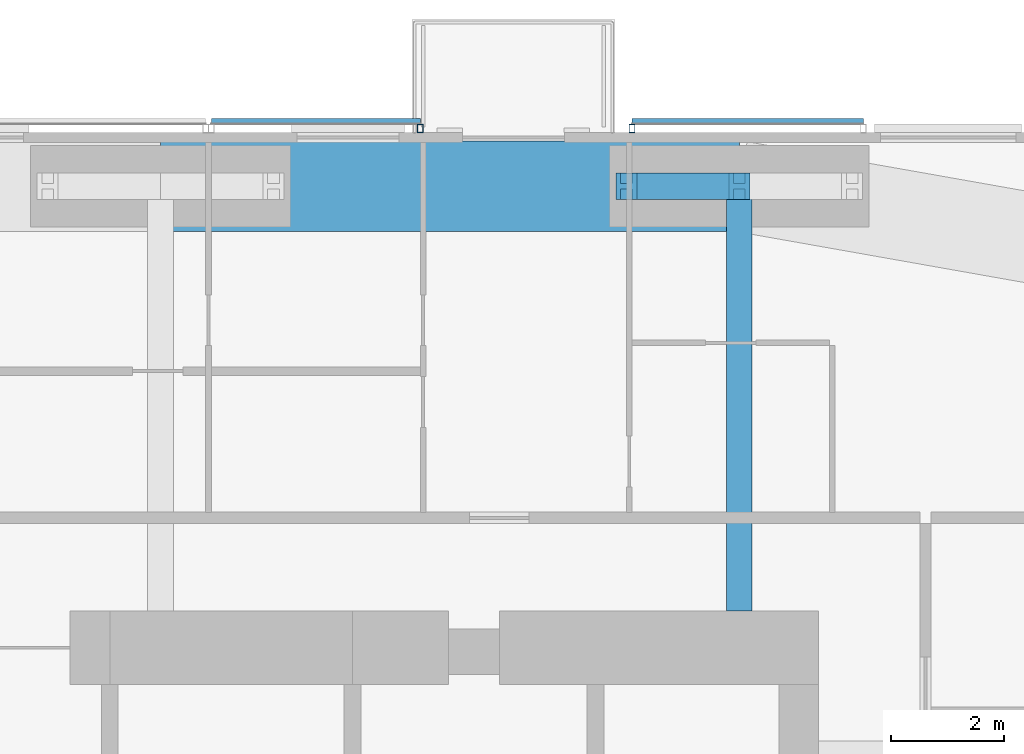
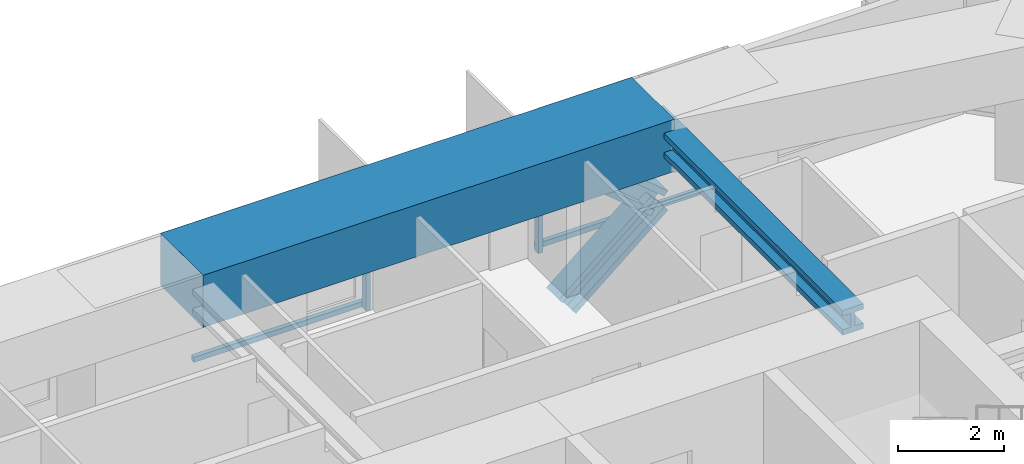
# One storey, part 12 of 22: 6 members, 2 beams, 2 elements without a shape of their own.
"""IFC4 building model written with IfcOpenShell, lengths in metres."""

from ifc_helpers import new_model, si_unit, direction, frame, origin, origin_2d, place, context, subcontext, project, spatial, rectangle, hollow_rectangle, i_section, extrude, material, material_profile, profile_set, type_object, element, aggregate, save


model = new_model("IFC4")

# Units and contexts
model_context = context("Model", 3, precision=1e-05, world=origin(), true_north=direction((0.0, 1.0)))
body_context = subcontext(model_context, "Body", "Model", "MODEL_VIEW")
ifc_project = project(units=[si_unit("LENGTHUNIT", "METRE"), si_unit("AREAUNIT", "SQUARE_METRE"), si_unit("VOLUMEUNIT", "CUBIC_METRE"), si_unit("PLANEANGLEUNIT", "RADIAN"), si_unit("MASSUNIT", "GRAM", prefix="KILO")], contexts=[model_context])

# Site, building, storey
site_placement = place(None, origin())
site = spatial("IfcSite", under=ifc_project, at=site_placement, CompositionType="ELEMENT")
building_placement = place(site_placement, origin())
building = spatial("IfcBuilding", under=site, at=building_placement, Name="Jalousie Tower", CompositionType="ELEMENT")
storey_placement = place(building_placement, frame((0.0, 0.0, 174.449951171875)))
storey = spatial("IfcBuildingStorey", under=building, at=storey_placement, Name="L47", CompositionType="ELEMENT", Elevation=174.449951171875)

# Beam
ifc_material_1 = material(Name="Steel ASTM A992 Grade 50", Category="steel")
ifc_material_profile_1 = material_profile(ifc_material_1, i_section(OverallWidth=0.45458984375, OverallDepth=0.569091796875, WebThickness=0.077880859375, FlangeThickness=0.124755859375, at=origin_2d()), Name="W14X730")
ifc_profile_set_1 = profile_set([ifc_material_profile_1], Name="Steel ASTM A992 Grade 50")
beam_type_1 = type_object("IfcBeamType", Name="LEAN COLLECTOR W14X730", PredefinedType="BEAM", material=ifc_profile_set_1)
beam_1_placement = place(storey_placement, frame((42.75, 35.050048828125, 2.825439453125), z_axis=(0.0, -1.0, 0.0), x_axis=(1.0, 0.0, 0.0)))
element("IfcBeam", 1, at=beam_1_placement, inside=storey, type_object=beam_type_1, Name="Lean collector under L48", PredefinedType="BEAM", context=body_context, shape_type="SweptSolid", body=[
    extrude(i_section(OverallWidth=0.45458984375, OverallDepth=0.569091796875, WebThickness=0.077880859375, FlangeThickness=0.124755859375, at=origin_2d()), origin(), (0.0, 0.0, 1.0), 7.525146484375),
])

# Members
ifc_material_2 = material(Name="Steel ASTM A992 Grade 50", Category="steel")
ifc_material_profile_2 = material_profile(ifc_material_2, i_section(OverallWidth=0.472412109375, OverallDepth=0.5791015625, WebThickness=0.094970703125, FlangeThickness=0.1298828125, at=origin_2d()), Name="W14X808")
ifc_profile_set_2 = profile_set([ifc_material_profile_2], Name="Steel ASTM A992 Grade 50")
member_type_1 = type_object("IfcMemberType", Name="PERIMETER BRACE W14X808", PredefinedType="BRACE", material=ifc_profile_set_2)
member_1_placement = place(storey_placement, frame((40.75, 35.050048828125, -0.599853515625), z_axis=(0.766684820047, 0.0, 0.642023665225), x_axis=(0.0, 1.0, 0.0)))
element("IfcMember", 2, at=member_1_placement, inside=storey, type_object=member_type_1, Name="Perimeter brace 09 L47 part 1", PredefinedType="BRACE", context=body_context, shape_type="SweptSolid", body=[
    extrude(i_section(OverallWidth=0.472412109375, OverallDepth=0.5791015625, WebThickness=0.094970703125, FlangeThickness=0.1298828125, at=origin_2d()), origin(), (0.0, 0.0, 1.0), 2.608642578125),
])
member_2_placement = place(storey_placement, frame((42.75, 35.050048828125, 1.074951171875), z_axis=(-0.766638753323, 0.0, 0.642078672674), x_axis=(0.0, -1.0, 0.0)))
element("IfcMember", 3, at=member_2_placement, inside=storey, type_object=member_type_1, Name="Perimeter brace 09 L47 part 4", PredefinedType="BRACE", context=body_context, shape_type="SweptSolid", body=[
    extrude(i_section(OverallWidth=0.472412109375, OverallDepth=0.5791015625, WebThickness=0.094970703125, FlangeThickness=0.1298828125, at=origin_2d()), origin(), (0.0, 0.0, 1.0), 2.60888671875),
])

# Beam
ifc_material_3 = material(Name="Concrete f'c 40 MPa", Category="concrete")
ifc_material_profile_3 = material_profile(ifc_material_3, rectangle(XDim=1.60009765625, YDim=1.199951171875, at=origin_2d()), Name="RC 1600x1200")
ifc_profile_set_3 = profile_set([ifc_material_profile_3], Name="Concrete f'c 40 MPa")
beam_type_2 = type_object("IfcBeamType", Name="RC BEAM 1600x1200", PredefinedType="BEAM", material=ifc_profile_set_3)
beam_2_placement = place(storey_placement, frame((42.75, 35.050048828125, 2.75), z_axis=(-1.0, 0.0, 0.0), x_axis=(0.0, -1.0, 0.0)))
element("IfcBeam", 4, at=beam_2_placement, inside=storey, type_object=beam_type_2, Name="Edge band beam 09-10 under L48", PredefinedType="BEAM", context=body_context, shape_type="SweptSolid", body=[
    extrude(rectangle(XDim=1.60009765625, YDim=1.199951171875, at=origin_2d()), origin(), (0.0, 0.0, 1.0), 10.25),
])

# Curtain wall, member
ifc_material_4 = material(Name="Perforated aluminium sheet", Category="aluminium")
curtain_wall_type = type_object("IfcCurtainWallType", Name="SOLAR SCREEN SS-1", PredefinedType="USERDEFINED", material=ifc_material_4)
curtain_wall_1_placement = place(storey_placement, origin())
curtain_wall_1 = element("IfcCurtainWall", 5, at=curtain_wall_1_placement, inside=storey, type_object=curtain_wall_type, Name="Solar screen L47", ObjectType="SOLAR SCREEN SS-1", PredefinedType="USERDEFINED")
ifc_material_5 = material(Name="Steel ASTM A500 Grade C", Category="steel")
ifc_material_profile_4 = material_profile(ifc_material_5, hollow_rectangle(XDim=0.1015625, YDim=0.15234375, WallThickness=0.00634765625, at=origin_2d()), Name="HSS6X4X1/4")
ifc_profile_set_4 = profile_set([ifc_material_profile_4], Name="Steel ASTM A500 Grade C")
member_type_2 = type_object("IfcMemberType", Name="SOLAR SCREEN SS-1 MULLION", PredefinedType="MULLION", material=ifc_profile_set_4)
member_3_placement = place(storey_placement, frame((40.85009765625, 36.0712890625, -0.119873046875), z_axis=(0.0, 0.0, 1.0), x_axis=(-1.0, 0.0, 0.0)))
member_3 = element("IfcMember", 6, at=member_3_placement, type_object=member_type_2, Name="SS1 post 2", PredefinedType="MULLION", context=body_context, shape_type="SweptSolid", body=[
    extrude(hollow_rectangle(XDim=0.1015625, YDim=0.15234375, WallThickness=0.00634765625, at=origin_2d()), origin(), (0.0, 0.0, 1.0), 3.22998046875),
])

curtain_wall_2_placement = place(storey_placement, origin())
curtain_wall_2 = element("IfcCurtainWall", 7, at=curtain_wall_2_placement, inside=storey, type_object=curtain_wall_type, Name="Solar screen L47", ObjectType="SOLAR SCREEN SS-1", PredefinedType="USERDEFINED")
member_4_placement = place(storey_placement, frame((37.10009765625, 36.0712890625, -0.119873046875), z_axis=(0.0, 0.0, 1.0), x_axis=(-1.0, 0.0, 0.0)))
member_4 = element("IfcMember", 8, at=member_4_placement, type_object=member_type_2, Name="SS1 post 1", PredefinedType="MULLION", context=body_context, shape_type="SweptSolid", body=[
    extrude(hollow_rectangle(XDim=0.1015625, YDim=0.15234375, WallThickness=0.00634765625, at=origin_2d()), origin(), (0.0, 0.0, 1.0), 3.22998046875),
])

# Member
ifc_material_6 = material(Name="Extruded aluminium screen rail", Category="aluminium")
ifc_material_profile_5 = material_profile(ifc_material_6, rectangle(XDim=0.1015625, YDim=0.1201171875, at=origin_2d()), Name="RAIL 102x120")
ifc_profile_set_5 = profile_set([ifc_material_profile_5], Name="Extruded aluminium screen rail")
member_type_3 = type_object("IfcMemberType", Name="SOLAR SCREEN SS-1 TRANSOM", PredefinedType="USERDEFINED", material=ifc_profile_set_5)
member_5_placement = place(storey_placement, frame((44.94921875, 36.1982421875, -0.06005859375), z_axis=(-1.0, 0.0, 0.0), x_axis=(0.0, -1.0, 0.0)))
member_5 = element("IfcMember", 9, at=member_5_placement, type_object=member_type_3, Name="SS1 rail", ObjectType="TRANSOM", PredefinedType="USERDEFINED", context=body_context, shape_type="SweptSolid", body=[
    extrude(rectangle(XDim=0.1015625, YDim=0.1201171875, at=origin_2d()), origin(), (0.0, 0.0, 1.0), 4.09912109375),
])

aggregate(curtain_wall_1, [member_3, member_5])

member_6_placement = place(storey_placement, frame((37.10009765625, 36.1982421875, -0.06005859375), z_axis=(-1.0, 0.0, 0.0), x_axis=(0.0, -1.0, 0.0)))
member_6 = element("IfcMember", 10, at=member_6_placement, type_object=member_type_3, Name="SS1 rail", ObjectType="TRANSOM", PredefinedType="USERDEFINED", context=body_context, shape_type="SweptSolid", body=[
    extrude(rectangle(XDim=0.1015625, YDim=0.1201171875, at=origin_2d()), origin(), (0.0, 0.0, 1.0), 3.7001953125),
])

aggregate(curtain_wall_2, [member_4, member_6])

save(model, "model.ifc")
